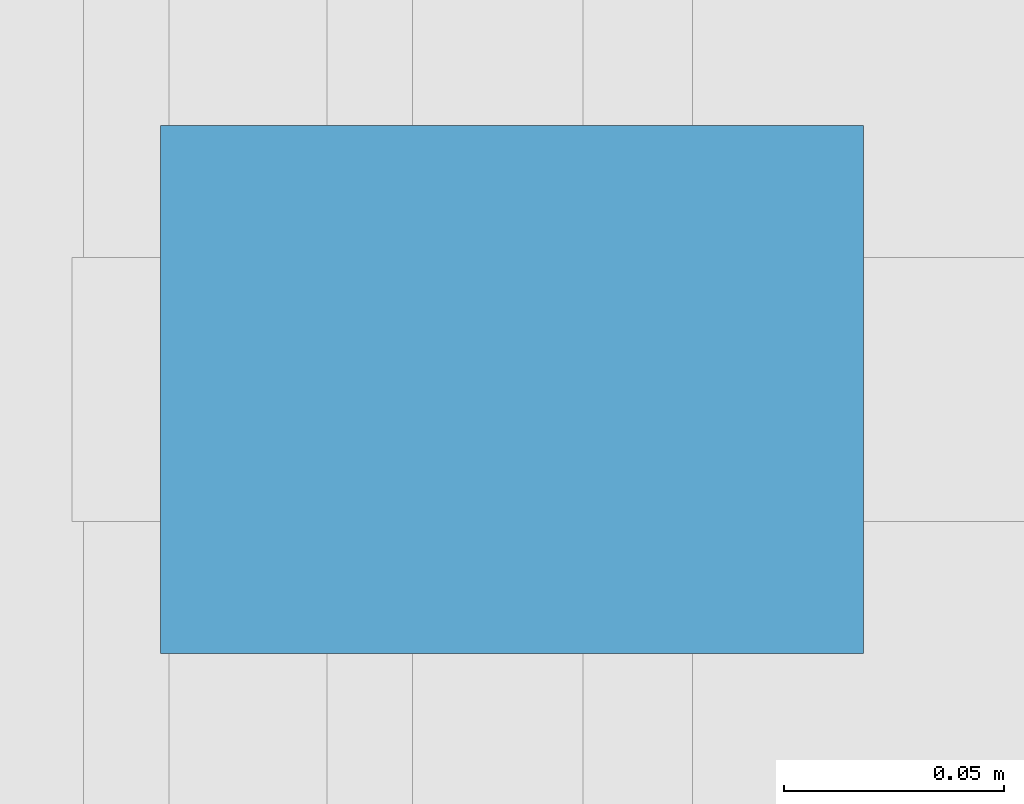
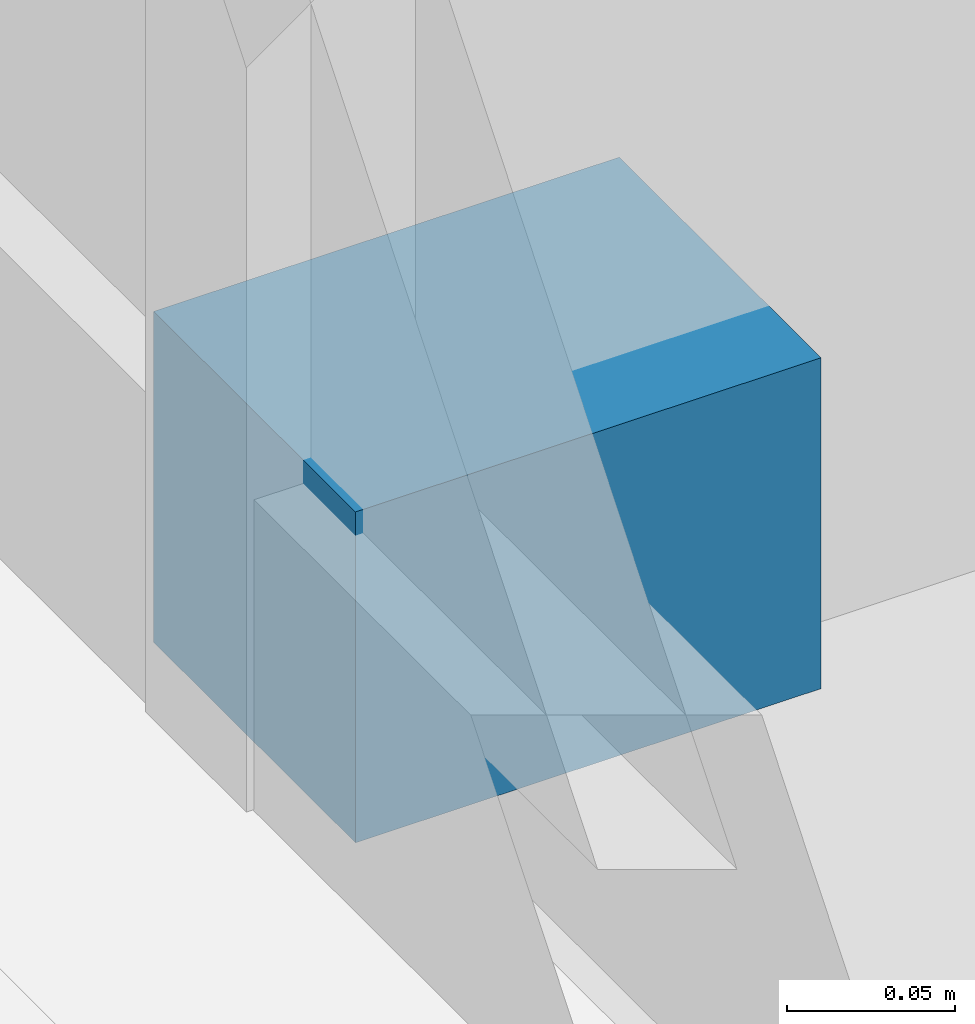
# One storey, part 68 of 103: 1 discrete accessory.
"""IFC4 building model written with IfcOpenShell, lengths in metres."""

from ifc_helpers import new_model, si_unit, direction, frame, origin, origin_2d, place, context, subcontext, project, spatial, rectangle, extrude, material, type_object, element, save


model = new_model("IFC4")

# Units and contexts
model_context = context("Model", 3, precision=1e-05, world=origin(), true_north=direction((0.0, 1.0)))
body_context = subcontext(model_context, "Body", "Model", "MODEL_VIEW")
ifc_project = project(units=[si_unit("LENGTHUNIT", "METRE"), si_unit("AREAUNIT", "SQUARE_METRE"), si_unit("VOLUMEUNIT", "CUBIC_METRE"), si_unit("PLANEANGLEUNIT", "RADIAN"), si_unit("MASSUNIT", "GRAM", prefix="KILO")], contexts=[model_context])

# Site, building, storey
site_placement = place(None, origin())
site = spatial("IfcSite", under=ifc_project, at=site_placement, CompositionType="ELEMENT")
building_placement = place(site_placement, origin())
building = spatial("IfcBuilding", under=site, at=building_placement, Name="Namkhue Oval Health Centre", CompositionType="ELEMENT")
storey_placement = place(building_placement, origin())
storey = spatial("IfcBuildingStorey", under=building, at=storey_placement, Name="L00", CompositionType="ELEMENT", Elevation=0.0)

# Discrete accessory
ifc_material = material(Name="Structural steel S355JR (TCVN CCT38)", Category="steel")
discrete_accessory_type = type_object("IfcDiscreteAccessoryType", Name="FACADE SHADING BRACKET", PredefinedType="BRACKET", material=ifc_material)
discrete_accessory_placement = place(storey_placement, frame((122.4599609375, 18.0, 0.0), z_axis=(0.0, 0.0, 1.0), x_axis=(1.0, 0.0, 0.0)))
element("IfcDiscreteAccessory", 1, at=discrete_accessory_placement, inside=storey, type_object=discrete_accessory_type, Name="Solar Fin Bracket 241", PredefinedType="BRACKET", context=body_context, shape_type="SweptSolid", body=[
    extrude(rectangle(XDim=0.159912109375, YDim=0.1201171875, at=origin_2d()), origin(), (0.0, 0.0, 1.0), 0.1201171875),
])

save(model, "model.ifc")
